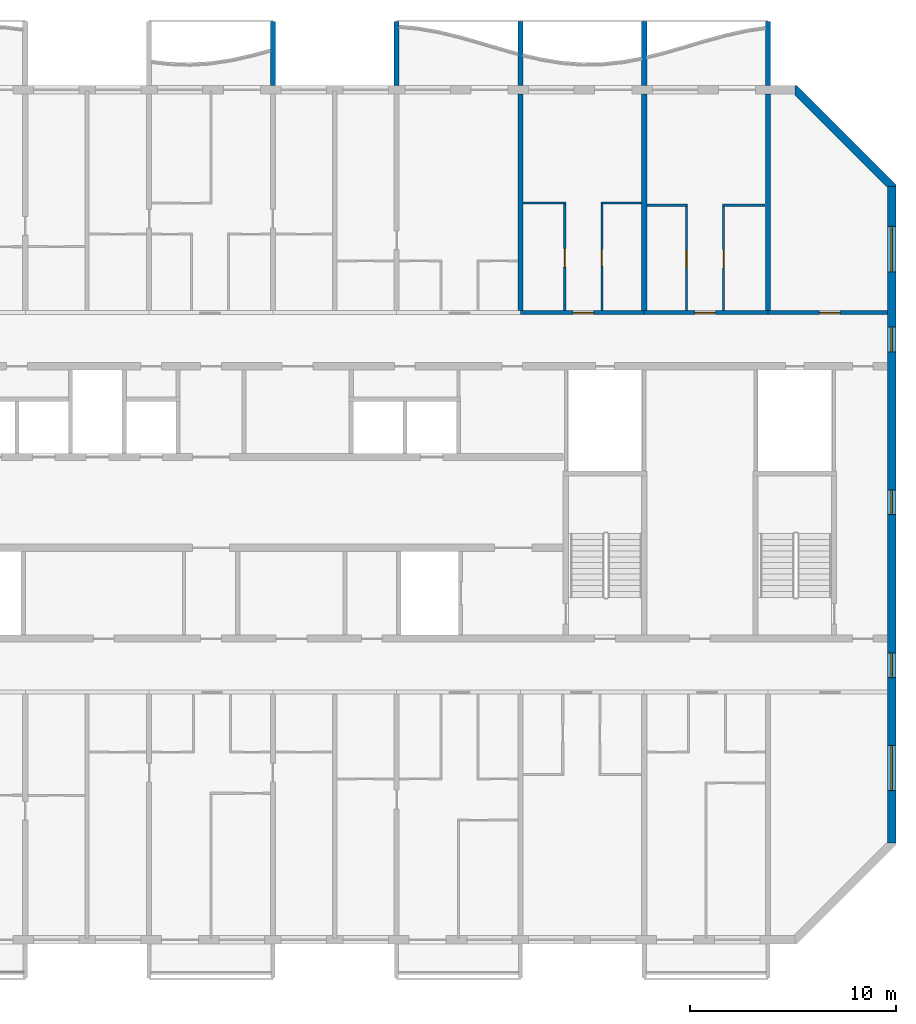
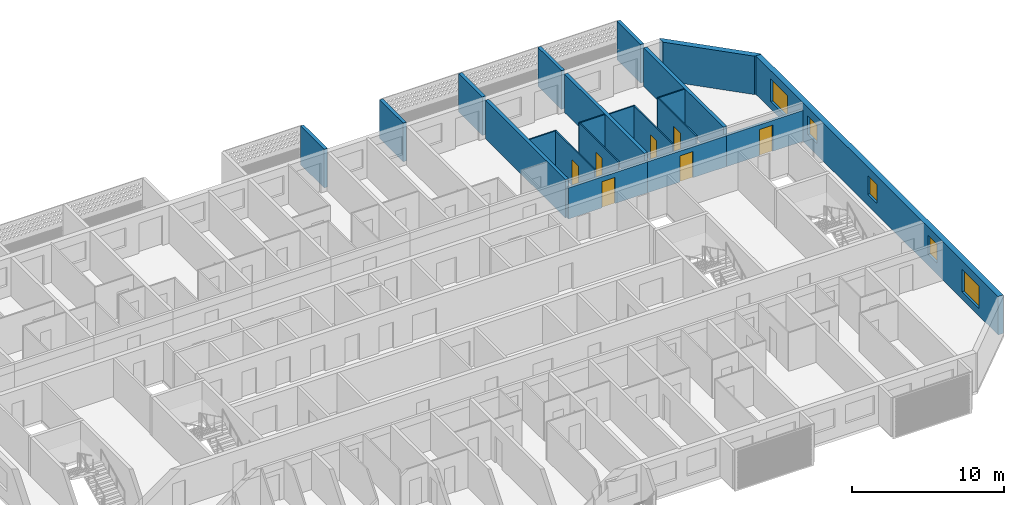
# One storey, part 10 of 26: 21 walls, 7 doors, 5 windows, 12 openings.
"""IFC4 building model written with IfcOpenShell, lengths in metres."""

from ifc_helpers import new_model, si_unit, direction, frame, frame_2d, origin, place, context, subcontext, project, spatial, polyline, rectangle, outline, extrude, source, transform, mapped, material, layer, layer_set, type_object, element, fill, save


model = new_model("IFC4")

# Units and contexts
model_context = context("Model", 3, precision=1e-05, world=origin(), true_north=direction((0.0, 1.0)))
body_context = subcontext(model_context, "Body", "Model", "MODEL_VIEW")
ifc_project = project(units=[si_unit("LENGTHUNIT", "METRE"), si_unit("AREAUNIT", "SQUARE_METRE"), si_unit("VOLUMEUNIT", "CUBIC_METRE"), si_unit("PLANEANGLEUNIT", "RADIAN"), si_unit("MASSUNIT", "GRAM", prefix="KILO")], contexts=[model_context])

# Site, building, storey
site_placement = place(None, origin())
site = spatial("IfcSite", under=ifc_project, at=site_placement, CompositionType="ELEMENT")
building_placement = place(site_placement, origin())
building = spatial("IfcBuilding", under=site, at=building_placement, Name="Poui Terraces", CompositionType="ELEMENT")
storey_placement = place(building_placement, frame((0.0, 0.0, 224.699951171875)))
storey = spatial("IfcBuildingStorey", under=building, at=storey_placement, Name="L62", CompositionType="ELEMENT", Elevation=224.699951171875)

# Wall, opening, door
ifc_material_1 = material(Name="Concrete 50 MPa", Category="concrete")
ifc_layer_1 = layer(ifc_material_1, 0.199951171875)
ifc_layer_set_1 = layer_set([ifc_layer_1], Name="Concrete 50 MPa")
wall_type_1 = type_object("IfcWallType", Name="CORRIDOR WALL 200 50MPa", PredefinedType="SHEAR", material=ifc_layer_set_1)
wall_1_placement = place(storey_placement, frame((66.0, 30.39990234375, 0.0), z_axis=(0.0, 0.0, 1.0), x_axis=(1.0, 0.0, 0.0)))
wall_1 = element("IfcWall", 1, at=wall_1_placement, inside=storey, type_object=wall_type_1, Name="CORRIDOR WALL LINE E BAY 9", PredefinedType="SHEAR", context=body_context, shape_type="SweptSolid", body=[
    extrude(rectangle(XDim=6.0, YDim=0.199951171875, at=frame_2d((3.0, 0.0))), origin(), (0.0, 0.0, 1.0), 2.47998046875),
])
opening_1_placement = place(wall_1_placement, frame((2.550048828125, 0.0, 0.0)))
opening_1 = element("IfcOpeningElement", 2, at=opening_1_placement, cuts=wall_1, Name="Opening FD30S", PredefinedType="OPENING", context=body_context, shape_type="SweptSolid", body=[
    extrude(rectangle(XDim=1.0, YDim=2.10009765625, at=frame_2d((0.5, 1.050048828125))), frame((0.0, 0.10986328125, 0.0), z_axis=(0.0, -1.0, 0.0), x_axis=(1.0, 0.0, 0.0)), (0.0, 0.0, 1.0), 0.219970703125),
])
ifc_material_2 = material(Name="Steel fire door", Category="steel")
door_type_1 = type_object("IfcDoorType", Name="FLAT ENTRANCE DOOR 1000 X 2100", OperationType="NOTDEFINED", PredefinedType="DOOR", material=ifc_material_2)
door_1_placement = place(opening_1_placement, origin())
door_1 = element("IfcDoor", 3, at=door_1_placement, inside=storey, type_object=door_type_1, Name="FLAT ENTRANCE DOOR 052", OperationType="SINGLE_SWING_RIGHT", OverallHeight=2.10009765625, OverallWidth=1.0, PredefinedType="DOOR", context=body_context, shape_type="SweptSolid", body=[
    extrude(rectangle(XDim=1.0, YDim=2.10009765625, at=frame_2d((0.5, 1.050048828125))), frame((0.0, 0.02490234375, 0.0), z_axis=(0.0, -1.0, 0.0), x_axis=(1.0, 0.0, 0.0)), (0.0, 0.0, 1.0), 0.050048828125),
])
fill(opening_1, door_1)

wall_2_placement = place(storey_placement, frame((72.0, 30.39990234375, 0.0), z_axis=(0.0, 0.0, 1.0), x_axis=(1.0, 0.0, 0.0)))
wall_2 = element("IfcWall", 4, at=wall_2_placement, inside=storey, type_object=wall_type_1, Name="CORRIDOR WALL LINE E BAY 10", PredefinedType="SHEAR", context=body_context, shape_type="SweptSolid", body=[
    extrude(rectangle(XDim=6.0, YDim=0.199951171875, at=frame_2d((3.0, 0.0))), origin(), (0.0, 0.0, 1.0), 2.47998046875),
])
opening_2_placement = place(wall_2_placement, frame((2.449951171875, 0.0, 0.0)))
opening_2 = element("IfcOpeningElement", 5, at=opening_2_placement, cuts=wall_2, Name="Opening FD30S", PredefinedType="OPENING", context=body_context, shape_type="SweptSolid", body=[
    extrude(rectangle(XDim=1.0, YDim=2.10009765625, at=frame_2d((0.5, 1.050048828125))), frame((0.0, 0.10986328125, 0.0), z_axis=(0.0, -1.0, 0.0), x_axis=(1.0, 0.0, 0.0)), (0.0, 0.0, 1.0), 0.219970703125),
])
door_2_placement = place(opening_2_placement, origin())
door_2 = element("IfcDoor", 6, at=door_2_placement, inside=storey, type_object=door_type_1, Name="FLAT ENTRANCE DOOR 055", OperationType="SINGLE_SWING_LEFT", OverallHeight=2.10009765625, OverallWidth=1.0, PredefinedType="DOOR", context=body_context, shape_type="SweptSolid", body=[
    extrude(rectangle(XDim=1.0, YDim=2.10009765625, at=frame_2d((0.5, 1.050048828125))), frame((0.0, 0.02490234375, 0.0), z_axis=(0.0, -1.0, 0.0), x_axis=(1.0, 0.0, 0.0)), (0.0, 0.0, 1.0), 0.050048828125),
])
fill(opening_2, door_2)

wall_3_placement = place(storey_placement, frame((78.0, 30.39990234375, 0.0), z_axis=(0.0, 0.0, 1.0), x_axis=(1.0, 0.0, 0.0)))
wall_3 = element("IfcWall", 7, at=wall_3_placement, inside=storey, type_object=wall_type_1, Name="CORRIDOR WALL LINE E BAY 11", PredefinedType="SHEAR", context=body_context, shape_type="SweptSolid", body=[
    extrude(rectangle(XDim=5.800048828125, YDim=0.199951171875, at=frame_2d((2.89990234375, 0.0))), origin(), (0.0, 0.0, 1.0), 2.47998046875),
])
opening_3_placement = place(wall_3_placement, frame((2.5, 0.0, 0.0)))
opening_3 = element("IfcOpeningElement", 8, at=opening_3_placement, cuts=wall_3, Name="Opening D100", PredefinedType="OPENING", context=body_context, shape_type="SweptSolid", body=[
    extrude(rectangle(XDim=1.0, YDim=2.10009765625, at=frame_2d((0.5, 1.050048828125))), frame((0.0, 0.10986328125, 0.0), z_axis=(0.0, -1.0, 0.0), x_axis=(1.0, 0.0, 0.0)), (0.0, 0.0, 1.0), 0.219970703125),
])
ifc_material_3 = material(Name="Solid core timber door", Category="wood")
door_type_2 = type_object("IfcDoorType", Name="ACCESSIBLE INTERNAL DOOR 1000 X 2100", OperationType="NOTDEFINED", PredefinedType="DOOR", material=ifc_material_3)
door_3_placement = place(opening_3_placement, origin())
door_3 = element("IfcDoor", 9, at=door_3_placement, inside=storey, type_object=door_type_2, Name="ACCESSIBLE INTERNAL DOOR 057", OperationType="SINGLE_SWING_LEFT", OverallHeight=2.10009765625, OverallWidth=1.0, PredefinedType="DOOR", context=body_context, shape_type="SweptSolid", body=[
    extrude(rectangle(XDim=1.0, YDim=2.10009765625, at=frame_2d((0.5, 1.050048828125))), frame((0.0, 0.02490234375, 0.0), z_axis=(0.0, -1.0, 0.0), x_axis=(1.0, 0.0, 0.0)), (0.0, 0.0, 1.0), 0.050048828125),
])
fill(opening_3, door_3)

# Walls
ifc_layer_2 = layer(ifc_material_1, 0.25)
ifc_layer_set_2 = layer_set([ifc_layer_2], Name="Concrete 50 MPa")
wall_type_2 = type_object("IfcWallType", Name="CROSS WALL 250 50MPa", PredefinedType="SHEAR", material=ifc_layer_set_2)
for number, where, z_axis, x_axis, name in (
    (10, (66.0, 30.5, 0.0), (0.0, 0.0, 1.0), (0.0, 1.0, 0.0), "CROSS WALL LINE 12 NORTH"),
    (11, (72.0, 30.5, 0.0), (0.0, 0.0, 1.0), (0.0, 1.0, 0.0), "CROSS WALL LINE 13 NORTH"),
    (12, (78.0, 30.5, 0.0), (0.0, 0.0, 1.0), (0.0, 1.0, 0.0), "CROSS WALL LINE 14 NORTH"),
):
    element("IfcWall", number, at=place(storey_placement, frame(where, z_axis=z_axis, x_axis=x_axis)), inside=storey, type_object=wall_type_2, Name=name, PredefinedType="SHEAR", context=body_context, shape_type="SweptSolid", body=[
        extrude(rectangle(XDim=10.5, YDim=0.25, at=frame_2d((5.25, 0.0))), origin(), (0.0, 0.0, 1.0), 3.080078125),
    ])

# Wall, openings, windows
ifc_layer_3 = layer(ifc_material_1, 0.39990234375)
ifc_layer_set_3 = layer_set([ifc_layer_3], Name="Concrete 50 MPa")
wall_type_3 = type_object("IfcWallType", Name="END WALL 400 50MPa", PredefinedType="SHEAR", material=ifc_layer_set_3)
wall_4_placement = place(storey_placement, frame((84.0, 4.682861328125, 0.0), z_axis=(0.0, 0.0, 1.0), x_axis=(0.0, 1.0, 0.0)))
wall_4 = element("IfcWall", 13, at=wall_4_placement, inside=storey, type_object=wall_type_3, Name="END WALL EAST", PredefinedType="SHEAR", context=body_context, shape_type="SweptSolid", body=[
    extrude(rectangle(XDim=31.834228515625, YDim=0.39990234375, at=frame_2d((15.9169921875, 0.0))), origin(), (0.0, 0.0, 1.0), 3.080078125),
])
opening_4_placement = place(wall_4_placement, frame((23.817138671875, 0.0, 0.89990234375)))
opening_4 = element("IfcOpeningElement", 14, at=opening_4_placement, cuts=wall_4, Name="Opening W2", PredefinedType="OPENING", context=body_context, shape_type="SweptSolid", body=[
    extrude(rectangle(XDim=1.199951171875, YDim=1.5, at=frame_2d((0.60009765625, 0.75))), frame((0.0, 0.2099609375, 0.0), z_axis=(0.0, -1.0, 0.0), x_axis=(1.0, 0.0, 0.0)), (0.0, 0.0, 1.0), 0.419921875),
])
opening_5_placement = place(wall_4_placement, frame((8.01708984375, 0.0, 0.89990234375)))
opening_5 = element("IfcOpeningElement", 15, at=opening_5_placement, cuts=wall_4, Name="Opening W2", PredefinedType="OPENING", context=body_context, shape_type="SweptSolid", body=[
    extrude(rectangle(XDim=1.199951171875, YDim=1.5, at=frame_2d((0.60009765625, 0.75))), frame((0.0, 0.2099609375, 0.0), z_axis=(0.0, -1.0, 0.0), x_axis=(1.0, 0.0, 0.0)), (0.0, 0.0, 1.0), 0.419921875),
])
opening_6_placement = place(wall_4_placement, frame((27.693603515625, 0.0, 0.60009765625)))
opening_6 = element("IfcOpeningElement", 16, at=opening_6_placement, cuts=wall_4, Name="Opening W3", PredefinedType="OPENING", context=body_context, shape_type="SweptSolid", body=[
    extrude(rectangle(XDim=2.199951171875, YDim=1.800048828125, at=frame_2d((1.10009765625, 0.89990234375))), frame((0.0, 0.2099609375, 0.0), z_axis=(0.0, -1.0, 0.0), x_axis=(1.0, 0.0, 0.0)), (0.0, 0.0, 1.0), 0.419921875),
])
opening_7_placement = place(wall_4_placement, frame((2.541015625, 0.0, 0.60009765625)))
opening_7 = element("IfcOpeningElement", 17, at=opening_7_placement, cuts=wall_4, Name="Opening W3", PredefinedType="OPENING", context=body_context, shape_type="SweptSolid", body=[
    extrude(rectangle(XDim=2.199951171875, YDim=1.800048828125, at=frame_2d((1.10009765625, 0.89990234375))), frame((0.0, 0.2099609375, 0.0), z_axis=(0.0, -1.0, 0.0), x_axis=(1.0, 0.0, 0.0)), (0.0, 0.0, 1.0), 0.419921875),
])
opening_8_placement = place(wall_4_placement, frame((15.917236328125, 0.0, 0.89990234375)))
opening_8 = element("IfcOpeningElement", 18, at=opening_8_placement, cuts=wall_4, Name="Opening W2", PredefinedType="OPENING", context=body_context, shape_type="SweptSolid", body=[
    extrude(rectangle(XDim=1.199951171875, YDim=1.5, at=frame_2d((0.60009765625, 0.75))), frame((0.0, 0.2099609375, 0.0), z_axis=(0.0, -1.0, 0.0), x_axis=(1.0, 0.0, 0.0)), (0.0, 0.0, 1.0), 0.419921875),
])
ifc_material_4 = material(Name="Clear glass in aluminium frame", Category="aluminium")
window_type_1 = type_object("IfcWindowType", Name="WINDOW 1200X1500", PartitioningType="SINGLE_PANEL", PredefinedType="WINDOW", material=ifc_material_4)
window_1_placement = place(opening_4_placement, origin())
window_1 = element("IfcWindow", 19, at=window_1_placement, inside=storey, type_object=window_type_1, Name="W2 WINDOW", OverallHeight=1.5, OverallWidth=1.199951171875, PartitioningType="SINGLE_PANEL", PredefinedType="WINDOW", context=body_context, shape_type="SweptSolid", body=[
    extrude(rectangle(XDim=1.199951171875, YDim=1.5, at=frame_2d((0.60009765625, 0.75))), frame((0.0, 0.030029296875, 0.0), z_axis=(0.0, -1.0, 0.0), x_axis=(1.0, 0.0, 0.0)), (0.0, 0.0, 1.0), 0.06005859375),
])
fill(opening_4, window_1)
window_2_placement = place(opening_5_placement, origin())
window_2 = element("IfcWindow", 20, at=window_2_placement, inside=storey, type_object=window_type_1, Name="W2 WINDOW", OverallHeight=1.5, OverallWidth=1.199951171875, PartitioningType="SINGLE_PANEL", PredefinedType="WINDOW", context=body_context, shape_type="SweptSolid", body=[
    extrude(rectangle(XDim=1.199951171875, YDim=1.5, at=frame_2d((0.60009765625, 0.75))), frame((0.0, 0.030029296875, 0.0), z_axis=(0.0, -1.0, 0.0), x_axis=(1.0, 0.0, 0.0)), (0.0, 0.0, 1.0), 0.06005859375),
])
fill(opening_5, window_2)
window_3_placement = place(opening_8_placement, origin())
window_3 = element("IfcWindow", 21, at=window_3_placement, inside=storey, type_object=window_type_1, Name="W2 WINDOW", OverallHeight=1.5, OverallWidth=1.199951171875, PartitioningType="SINGLE_PANEL", PredefinedType="WINDOW", context=body_context, shape_type="SweptSolid", body=[
    extrude(rectangle(XDim=1.199951171875, YDim=1.5, at=frame_2d((0.60009765625, 0.75))), frame((0.0, 0.030029296875, 0.0), z_axis=(0.0, -1.0, 0.0), x_axis=(1.0, 0.0, 0.0)), (0.0, 0.0, 1.0), 0.06005859375),
])
fill(opening_8, window_3)
window_type_2 = type_object("IfcWindowType", Name="WINDOW 2200X1800", PartitioningType="DOUBLE_PANEL_HORIZONTAL", PredefinedType="WINDOW", material=ifc_material_4)
window_4_placement = place(opening_6_placement, origin())
window_4 = element("IfcWindow", 22, at=window_4_placement, inside=storey, type_object=window_type_2, Name="W3 WINDOW", OverallHeight=1.800048828125, OverallWidth=2.199951171875, PartitioningType="DOUBLE_PANEL_HORIZONTAL", PredefinedType="WINDOW", context=body_context, shape_type="SweptSolid", body=[
    extrude(rectangle(XDim=2.199951171875, YDim=1.800048828125, at=frame_2d((1.10009765625, 0.89990234375))), frame((0.0, 0.030029296875, 0.0), z_axis=(0.0, -1.0, 0.0), x_axis=(1.0, 0.0, 0.0)), (0.0, 0.0, 1.0), 0.06005859375),
])
fill(opening_6, window_4)
window_5_placement = place(opening_7_placement, origin())
window_5 = element("IfcWindow", 23, at=window_5_placement, inside=storey, type_object=window_type_2, Name="W3 WINDOW", OverallHeight=1.800048828125, OverallWidth=2.199951171875, PartitioningType="DOUBLE_PANEL_HORIZONTAL", PredefinedType="WINDOW", context=body_context, shape_type="SweptSolid", body=[
    extrude(rectangle(XDim=2.199951171875, YDim=1.800048828125, at=frame_2d((1.10009765625, 0.89990234375))), frame((0.0, 0.030029296875, 0.0), z_axis=(0.0, -1.0, 0.0), x_axis=(1.0, 0.0, 0.0)), (0.0, 0.0, 1.0), 0.06005859375),
])
fill(opening_7, window_5)

# Walls
ifc_material_5 = material(Name="Plasterboard partition")
ifc_layer_4 = layer(ifc_material_5, 0.10009765625)
ifc_layer_set_4 = layer_set([ifc_layer_4], Name="Plasterboard partition")
wall_type_4 = type_object("IfcWallType", Name="FLAT PARTITION 100", PredefinedType="PARTITIONING", material=ifc_layer_set_4)
wall_5_placement = place(storey_placement, frame((72.135009765625, 35.60009765625, 0.0), z_axis=(0.0, 0.0, 1.0), x_axis=(1.0, 0.0, 0.0)))
element("IfcWall", 24, at=wall_5_placement, inside=storey, type_object=wall_type_4, Name="FLAT PARTITION 100", PredefinedType="PARTITIONING", context=body_context, shape_type="SweptSolid", body=[
    extrude(rectangle(XDim=1.965087890625, YDim=0.10009765625, at=frame_2d((0.982421875, 0.0))), origin(), (0.0, 0.0, 1.0), 3.080078125),
])
for number, where, z_axis, x_axis, name in (
    (25, (75.800048828125, 35.60009765625, 0.0), (0.0, 0.0, 1.0), (1.0, 0.0, 0.0), "FLAT PARTITION 100"),
    (26, (66.135009765625, 35.699951171875, 0.0), (0.0, 0.0, 1.0), (1.0, 0.0, 0.0), "FLAT PARTITION 100"),
):
    element("IfcWall", number, at=place(storey_placement, frame(where, z_axis=z_axis, x_axis=x_axis)), inside=storey, type_object=wall_type_4, Name=name, PredefinedType="PARTITIONING", context=body_context, shape_type="SweptSolid", body=[
        extrude(rectangle(XDim=2.06494140625, YDim=0.10009765625, at=frame_2d((1.032470703125, 0.0))), origin(), (0.0, 0.0, 1.0), 3.080078125),
    ])
wall_6_placement = place(storey_placement, frame((69.89990234375, 35.699951171875, 0.0), z_axis=(0.0, 0.0, 1.0), x_axis=(1.0, 0.0, 0.0)))
element("IfcWall", 27, at=wall_6_placement, inside=storey, type_object=wall_type_4, Name="FLAT PARTITION 100", PredefinedType="PARTITIONING", context=body_context, shape_type="SweptSolid", body=[
    extrude(rectangle(XDim=1.965087890625, YDim=0.10009765625, at=frame_2d((0.982421875, 0.0))), origin(), (0.0, 0.0, 1.0), 3.080078125),
])

# Wall, opening, door
wall_7_placement = place(storey_placement, frame((68.14990234375, 30.510009765625, 0.0), z_axis=(0.0, 0.0, 1.0), x_axis=(0.0, 1.0, 0.0)))
wall_7 = element("IfcWall", 28, at=wall_7_placement, inside=storey, type_object=wall_type_4, Name="FLAT PARTITION 100", PredefinedType="PARTITIONING", context=body_context, shape_type="SweptSolid", body=[
    extrude(rectangle(XDim=5.139892578125, YDim=0.10009765625, at=frame_2d((2.56982421875, 0.0))), origin(), (0.0, 0.0, 1.0), 3.080078125),
])
opening_9_placement = place(wall_7_placement, frame((2.090087890625, 0.0, 0.0)))
opening_9 = element("IfcOpeningElement", 29, at=opening_9_placement, cuts=wall_7, Name="Opening D90", PredefinedType="OPENING", context=body_context, shape_type="SweptSolid", body=[
    extrude(rectangle(XDim=0.89990234375, YDim=2.10009765625, at=frame_2d((0.449951171875, 1.050048828125))), frame((0.0, 0.06005859375, 0.0), z_axis=(0.0, -1.0, 0.0), x_axis=(1.0, 0.0, 0.0)), (0.0, 0.0, 1.0), 0.1201171875),
])
door_type_3 = type_object("IfcDoorType", Name="INTERNAL DOOR 900 X 2100", OperationType="NOTDEFINED", PredefinedType="DOOR", material=ifc_material_3)
door_4_placement = place(opening_9_placement, origin())
door_4 = element("IfcDoor", 30, at=door_4_placement, inside=storey, type_object=door_type_3, Name="INTERNAL DOOR 051", OperationType="SINGLE_SWING_LEFT", OverallHeight=2.10009765625, OverallWidth=0.89990234375, PredefinedType="DOOR", context=body_context, shape_type="SweptSolid", body=[
    extrude(rectangle(XDim=0.89990234375, YDim=2.10009765625, at=frame_2d((0.449951171875, 1.050048828125))), frame((0.0, 0.02490234375, 0.0), z_axis=(0.0, -1.0, 0.0), x_axis=(1.0, 0.0, 0.0)), (0.0, 0.0, 1.0), 0.050048828125),
])
fill(opening_9, door_4)

wall_8_placement = place(storey_placement, frame((69.949951171875, 30.510009765625, 0.0), z_axis=(0.0, 0.0, 1.0), x_axis=(0.0, 1.0, 0.0)))
wall_8 = element("IfcWall", 31, at=wall_8_placement, inside=storey, type_object=wall_type_4, Name="FLAT PARTITION 100", PredefinedType="PARTITIONING", context=body_context, shape_type="SweptSolid", body=[
    extrude(rectangle(XDim=5.139892578125, YDim=0.10009765625, at=frame_2d((2.56982421875, 0.0))), origin(), (0.0, 0.0, 1.0), 3.080078125),
])
opening_10_placement = place(wall_8_placement, frame((2.139892578125, 0.0, 0.0)))
opening_10 = element("IfcOpeningElement", 32, at=opening_10_placement, cuts=wall_8, Name="Opening D80", PredefinedType="OPENING", context=body_context, shape_type="SweptSolid", body=[
    extrude(rectangle(XDim=0.800048828125, YDim=2.10009765625, at=frame_2d((0.39990234375, 1.050048828125))), frame((0.0, 0.06005859375, 0.0), z_axis=(0.0, -1.0, 0.0), x_axis=(1.0, 0.0, 0.0)), (0.0, 0.0, 1.0), 0.1201171875),
])
door_type_4 = type_object("IfcDoorType", Name="BATHROOM, LAUNDRY AND STORE DOOR 800 X 2100", OperationType="NOTDEFINED", PredefinedType="DOOR", material=ifc_material_3)
door_5_placement = place(opening_10_placement, frame((0.800048828125, 0.0, 0.0), z_axis=(0.0, 0.0, 1.0), x_axis=(-1.0, 0.0, 0.0)))
door_5 = element("IfcDoor", 33, at=door_5_placement, inside=storey, type_object=door_type_4, Name="BATHROOM, LAUNDRY AND STORE DOOR 053", OperationType="SINGLE_SWING_LEFT", OverallHeight=2.10009765625, OverallWidth=0.800048828125, PredefinedType="DOOR", context=body_context, shape_type="SweptSolid", body=[
    extrude(rectangle(XDim=0.800048828125, YDim=2.10009765625, at=frame_2d((0.39990234375, 1.050048828125))), frame((0.0, 0.02490234375, 0.0), z_axis=(0.0, -1.0, 0.0), x_axis=(1.0, 0.0, 0.0)), (0.0, 0.0, 1.0), 0.050048828125),
])
fill(opening_10, door_5)

wall_9_placement = place(storey_placement, frame((74.050048828125, 30.510009765625, 0.0), z_axis=(0.0, 0.0, 1.0), x_axis=(0.0, 1.0, 0.0)))
wall_9 = element("IfcWall", 34, at=wall_9_placement, inside=storey, type_object=wall_type_4, Name="FLAT PARTITION 100", PredefinedType="PARTITIONING", context=body_context, shape_type="SweptSolid", body=[
    extrude(rectangle(XDim=5.0400390625, YDim=0.10009765625, at=frame_2d((2.52001953125, 0.0))), origin(), (0.0, 0.0, 1.0), 3.080078125),
])
opening_11_placement = place(wall_9_placement, frame((2.090087890625, 0.0, 0.0)))
opening_11 = element("IfcOpeningElement", 35, at=opening_11_placement, cuts=wall_9, Name="Opening D80", PredefinedType="OPENING", context=body_context, shape_type="SweptSolid", body=[
    extrude(rectangle(XDim=0.800048828125, YDim=2.10009765625, at=frame_2d((0.39990234375, 1.050048828125))), frame((0.0, 0.06005859375, 0.0), z_axis=(0.0, -1.0, 0.0), x_axis=(1.0, 0.0, 0.0)), (0.0, 0.0, 1.0), 0.1201171875),
])
door_6_placement = place(opening_11_placement, origin())
door_6 = element("IfcDoor", 36, at=door_6_placement, inside=storey, type_object=door_type_4, Name="BATHROOM, LAUNDRY AND STORE DOOR 054", OperationType="SINGLE_SWING_RIGHT", OverallHeight=2.10009765625, OverallWidth=0.800048828125, PredefinedType="DOOR", context=body_context, shape_type="SweptSolid", body=[
    extrude(rectangle(XDim=0.800048828125, YDim=2.10009765625, at=frame_2d((0.39990234375, 1.050048828125))), frame((0.0, 0.02490234375, 0.0), z_axis=(0.0, -1.0, 0.0), x_axis=(1.0, 0.0, 0.0)), (0.0, 0.0, 1.0), 0.050048828125),
])
fill(opening_11, door_6)

wall_10_placement = place(storey_placement, frame((75.85009765625, 30.510009765625, 0.0), z_axis=(0.0, 0.0, 1.0), x_axis=(0.0, 1.0, 0.0)))
wall_10 = element("IfcWall", 37, at=wall_10_placement, inside=storey, type_object=wall_type_4, Name="FLAT PARTITION 100", PredefinedType="PARTITIONING", context=body_context, shape_type="SweptSolid", body=[
    extrude(rectangle(XDim=5.0400390625, YDim=0.10009765625, at=frame_2d((2.52001953125, 0.0))), origin(), (0.0, 0.0, 1.0), 3.080078125),
])
opening_12_placement = place(wall_10_placement, frame((2.0400390625, 0.0, 0.0)))
opening_12 = element("IfcOpeningElement", 38, at=opening_12_placement, cuts=wall_10, Name="Opening D90", PredefinedType="OPENING", context=body_context, shape_type="SweptSolid", body=[
    extrude(rectangle(XDim=0.89990234375, YDim=2.10009765625, at=frame_2d((0.449951171875, 1.050048828125))), frame((0.0, 0.06005859375, 0.0), z_axis=(0.0, -1.0, 0.0), x_axis=(1.0, 0.0, 0.0)), (0.0, 0.0, 1.0), 0.1201171875),
])
door_7_placement = place(opening_12_placement, frame((0.89990234375, 0.0, 0.0), z_axis=(0.0, 0.0, 1.0), x_axis=(-1.0, 0.0, 0.0)))
door_7 = element("IfcDoor", 39, at=door_7_placement, inside=storey, type_object=door_type_3, Name="INTERNAL DOOR 056", OperationType="SINGLE_SWING_RIGHT", OverallHeight=2.10009765625, OverallWidth=0.89990234375, PredefinedType="DOOR", context=body_context, shape_type="SweptSolid", body=[
    extrude(rectangle(XDim=0.89990234375, YDim=2.10009765625, at=frame_2d((0.449951171875, 1.050048828125))), frame((0.0, 0.02490234375, 0.0), z_axis=(0.0, -1.0, 0.0), x_axis=(1.0, 0.0, 0.0)), (0.0, 0.0, 1.0), 0.050048828125),
])
fill(opening_12, door_7)

# Walls
ifc_material_6 = material(Name="Precast concrete 40 MPa", Category="concrete")
ifc_layer_5 = layer(ifc_material_6, 0.39990234375)
ifc_layer_set_5 = layer_set([ifc_layer_5], Name="Precast concrete 40 MPa")
wall_type_5 = type_object("IfcWallType", Name="TERRACOTTA CLAD CHAMFER WALL 400", PredefinedType="STANDARD", material=ifc_layer_set_5)
wall_11_placement = place(storey_placement, origin())
element("IfcWall", 40, at=wall_11_placement, inside=storey, type_object=wall_type_5, Name="CHAMFER WALL CH03", PredefinedType="STANDARD", context=body_context, shape_type="SweptSolid", body=[
    extrude(outline(polyline([(84.199951171875, 36.51708984375), (84.199951171875, 36.60009765625), (79.39990234375, 41.39990234375), (79.317138671875, 41.39990234375), (79.317138671875, 40.917236328125), (83.71728515625, 36.51708984375), (84.199951171875, 36.51708984375)])), origin(), (0.0, 0.0, 1.0), 3.080078125),
])
ifc_layer_6 = layer(ifc_material_6, 0.25)
ifc_layer_set_6 = layer_set([ifc_layer_6], Name="Precast concrete 40 MPa")
wall_type_6 = type_object("IfcWallType", Name="BALCONY FIN 250", PredefinedType="STANDARD", material=ifc_layer_set_6)
shared_shape = source(origin(), body_context, "Body", "SweptSolid", [
    extrude(outline(polyline([(0.0, 0.0), (0.25, 0.0), (0.25, 3.10009765625), (0.0, 3.10009765625), (0.0, 0.0)])), origin(), (0.0, 0.0, 1.0), 3.10009765625),
])
for number, where, name in (
    (41, (53.875, 41.39990234375, 0.0), "BALCONY FIN"),
    (42, (59.875, 41.39990234375, 0.0), "BALCONY FIN"),
    (43, (65.875, 41.39990234375, 0.0), "BALCONY FIN"),
    (44, (71.875, 41.39990234375, 0.0), "BALCONY FIN"),
    (45, (77.875, 41.39990234375, 0.0), "BALCONY FIN"),
):
    element("IfcWall", number, at=place(storey_placement, frame(where)), inside=storey, type_object=wall_type_6, Name=name, PredefinedType="STANDARD", context=body_context, shape_type="MappedRepresentation", body=[
        mapped(shared_shape, transform((0.0, 0.0, 0.0))),
    ])

save(model, "model.ifc")
